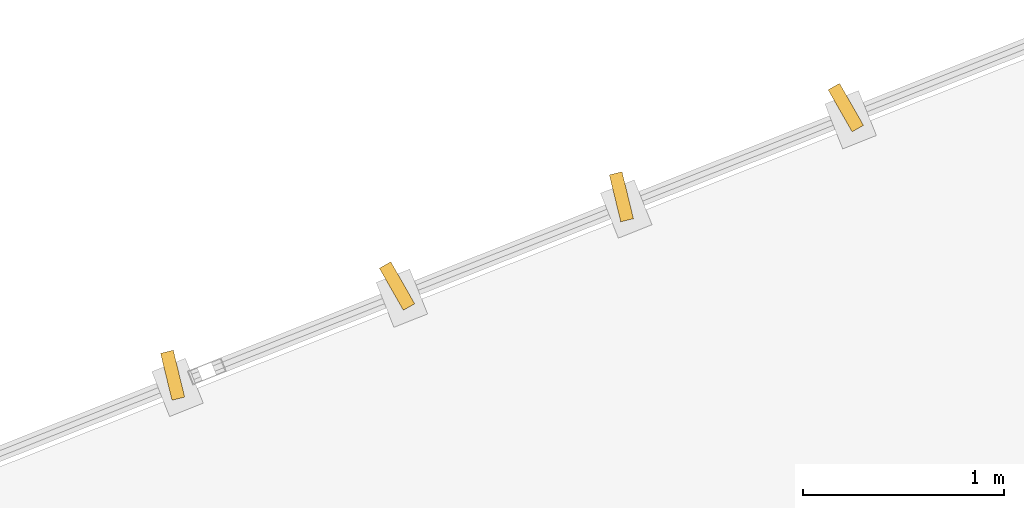
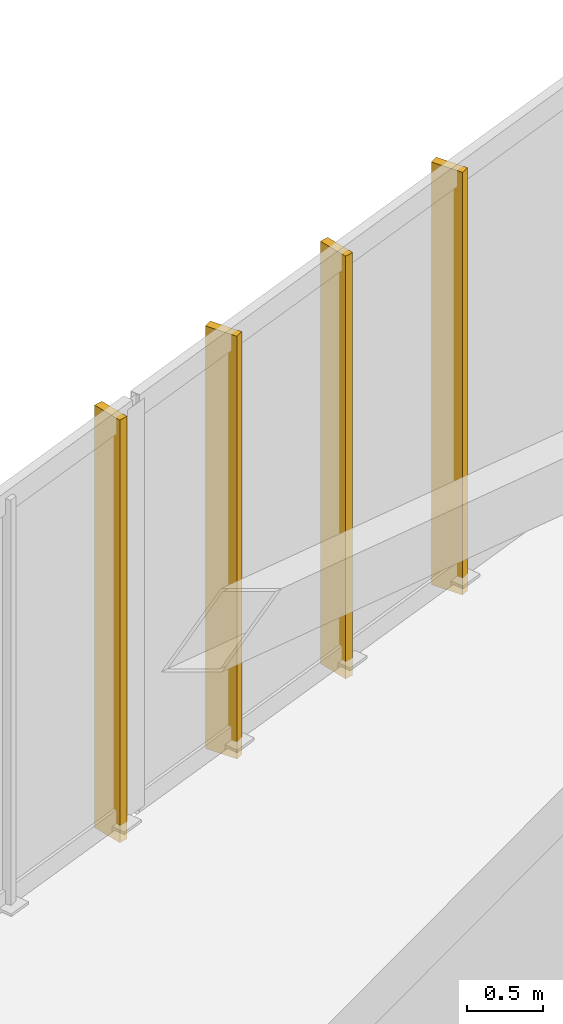
# One storey, part 22 of 22: 4 shading devices.
"""IFC4 building model written with IfcOpenShell, lengths in metres."""

import ifcopenshell
import ifcopenshell.guid

model = None  # the IFC model being written
_history = None  # IfcOwnerHistory: only IFC2X3 demands one
_inside = {}  # id of a spatial element -> (the spatial element, [elements in it])
_under = {}  # id of a project, library or spatial element -> (it, [spatial elements below it])
_declared = {}  # id of a project -> (the project, [libraries it declares])
_typed = {}  # id of a type object -> (the type object, [elements of that type])
_made_of = {}  # id of a material, layer set ... -> (it, [elements and type objects made of it])


def new_model(schema):
    """Start an empty IFC model of exactly this schema.

    Asked for "IFC4X3", IfcOpenShell would pick the latest addendum, in which some entities
    have other attributes; the version numbers below select the first issue.
    IFC2X3 requires an IfcOwnerHistory on every rooted entity: one is made here for all.
    """
    global model, _history
    if schema == "IFC4X3":
        model = ifcopenshell.file(schema_version=(4, 3, 0, 0))
    else:
        model = ifcopenshell.file(schema=schema)
    _inside.clear()
    _under.clear()
    _declared.clear()
    _typed.clear()
    _made_of.clear()
    _history = None
    if model.schema == "IFC2X3":
        org = make("IfcOrganization", Name="unknown")
        user = make(
            "IfcPersonAndOrganization",
            ThePerson=make("IfcPerson", FamilyName="unknown"),
            TheOrganization=org,
        )
        app = make(
            "IfcApplication",
            ApplicationDeveloper=org,
            Version="unknown",
            ApplicationFullName="unknown",
            ApplicationIdentifier="unknown",
        )
        _history = make(
            "IfcOwnerHistory",
            OwningUser=user,
            OwningApplication=app,
            ChangeAction="ADDED",
            CreationDate=0,
        )
    return model


def make(cls, **values):
    """One entity of the class cls with the attributes given. An attribute that is None is left unset."""
    return model.create_entity(
        cls, **{name: value for name, value in values.items() if value is not None}
    )


def rooted(cls, **values):
    """An entity with a GlobalId (a new one), such as an element, a storey or a relation."""
    return make(cls, GlobalId=ifcopenshell.guid.new(), OwnerHistory=_history, **values)


def si_unit(unit_type, name, prefix=None):
    """IfcSIUnit, for example si_unit("LENGTHUNIT", "METRE", prefix="MILLI")."""
    return make("IfcSIUnit", UnitType=unit_type, Prefix=prefix, Name=name)


def assignment(units):
    """IfcUnitAssignment: the units of a project."""
    return None if units is None else make("IfcUnitAssignment", Units=units)


def point(xyz):
    """IfcCartesianPoint."""
    return None if xyz is None else make("IfcCartesianPoint", Coordinates=xyz)


def direction(xyz):
    """IfcDirection."""
    return None if xyz is None else make("IfcDirection", DirectionRatios=xyz)


def frame(location, z_axis=None, x_axis=None):
    """IfcAxis2Placement3D, a coordinate frame: its origin and axes. An axis left out is left unset."""
    return make(
        "IfcAxis2Placement3D",
        Location=point(location),
        Axis=direction(z_axis),
        RefDirection=direction(x_axis),
    )


def frame_2d(location, x_axis=None):
    """IfcAxis2Placement2D, a coordinate frame in the plane: its origin and x axis."""
    return make(
        "IfcAxis2Placement2D", Location=point(location), RefDirection=direction(x_axis)
    )


def origin():
    """The frame at (0, 0, 0) with its axes left unset."""
    return frame((0.0, 0.0, 0.0))


def origin_2d():
    """The frame at (0, 0) in the plane with its x axis left unset."""
    return frame_2d((0.0, 0.0))


def place(relative_to, where):
    """IfcLocalPlacement: puts the frame where relative to a parent placement (None: the world)."""
    return make(
        "IfcLocalPlacement", PlacementRelTo=relative_to, RelativePlacement=where
    )


def context(
    kind, dimensions, precision=None, world=None, true_north=None, identifier=None
):
    """IfcGeometricRepresentationContext, for example the 3D "Model" context."""
    return make(
        "IfcGeometricRepresentationContext",
        ContextIdentifier=identifier,
        ContextType=kind,
        CoordinateSpaceDimension=dimensions,
        Precision=precision,
        WorldCoordinateSystem=world,
        TrueNorth=true_north,
    )


def subcontext(parent, identifier, kind, view, scale=None):
    """IfcGeometricRepresentationSubContext, for example "Body" below "Model"."""
    return make(
        "IfcGeometricRepresentationSubContext",
        ContextIdentifier=identifier,
        ContextType=kind,
        ParentContext=parent,
        TargetScale=scale,
        TargetView=view,
    )


def project(units=None, contexts=None):
    """IfcProject with its units and contexts."""
    return rooted(
        "IfcProject",
        Name="project",
        RepresentationContexts=contexts,
        UnitsInContext=assignment(units),
    )


def spatial(cls, under=None, at=None, **own):
    """A site, building, storey or space (cls), placed at a placement, below another one or the project."""
    s = rooted(cls, ObjectPlacement=at, **own)
    if under is not None:
        _under.setdefault(under.id(), (under, []))[1].append(s)
    return s


def profile(cls, at=None, kind="AREA", **sizes):
    """A parametric profile (cls). Its sizes go by their IFC names, for example OverallWidth=200.0."""
    return make(cls, ProfileType=kind, Position=at, **sizes)


def rectangle(**sizes):
    """IfcRectangleProfileDef."""
    return profile("IfcRectangleProfileDef", **sizes)


def extrude(swept, where, along, depth):
    """IfcExtrudedAreaSolid: the profile swept, set in the frame where, extruded along a direction by depth."""
    return make(
        "IfcExtrudedAreaSolid",
        SweptArea=swept,
        Position=where,
        ExtrudedDirection=direction(along),
        Depth=depth,
    )


def shape(context_of_items, identifier, shape_type, items):
    """IfcShapeRepresentation: the items that make up one representation, for example the "Body"."""
    return make(
        "IfcShapeRepresentation",
        ContextOfItems=context_of_items,
        RepresentationIdentifier=identifier,
        RepresentationType=shape_type,
        Items=items,
    )


def source(mapping_origin, context_of_items, identifier, shape_type, items):
    """IfcRepresentationMap: a shape defined once, which mapped items show again and again."""
    return make(
        "IfcRepresentationMap",
        MappingOrigin=mapping_origin,
        MappedRepresentation=shape(context_of_items, identifier, shape_type, items),
    )


def transform(
    local_origin,
    x_axis=None,
    y_axis=None,
    z_axis=None,
    scale=None,
    scale2=None,
    scale3=None,
    uniform=True,
):
    """IfcCartesianTransformationOperator3D, or its non-uniform kind. x_axis, y_axis, z_axis: its Axis1, 2, 3."""
    if uniform:
        return make(
            "IfcCartesianTransformationOperator3D",
            Axis1=direction(x_axis),
            Axis2=direction(y_axis),
            LocalOrigin=point(local_origin),
            Scale=scale,
            Axis3=direction(z_axis),
        )
    return make(
        "IfcCartesianTransformationOperator3DnonUniform",
        Axis1=direction(x_axis),
        Axis2=direction(y_axis),
        LocalOrigin=point(local_origin),
        Scale=scale,
        Axis3=direction(z_axis),
        Scale2=scale2,
        Scale3=scale3,
    )


def mapped(mapping_source, mapping_target):
    """IfcMappedItem: shows the shape of a source again, moved by a transform."""
    return make(
        "IfcMappedItem", MappingSource=mapping_source, MappingTarget=mapping_target
    )


def material(Name=None, Category=None):
    """IfcMaterial."""
    return make("IfcMaterial", Name=Name, Category=Category)


def layer(
    of_material, thickness, ventilated=None, Name=None, Category=None, Priority=None
):
    """IfcMaterialLayer: one layer of a wall or slab, of a material (None: an air gap)."""
    return make(
        "IfcMaterialLayer",
        Material=of_material,
        LayerThickness=thickness,
        IsVentilated=ventilated,
        Name=Name,
        Category=Category,
        Priority=Priority,
    )


def layer_set(layers, Name=None):
    """IfcMaterialLayerSet."""
    return make("IfcMaterialLayerSet", MaterialLayers=layers, LayerSetName=Name)


def made_of(thing, what):
    """Note that an element or type object is made of a material, layer set ...; save() writes the relation."""
    if what is not None:
        _made_of.setdefault(what.id(), (what, []))[1].append(thing)
    return thing


def type_object(cls, material=None, **own):
    """A type object (cls), such as IfcWallType, which elements share."""
    return made_of(rooted(cls, **own), material)


def type_shapes(of_type, sources):
    """Give a type object the sources (RepresentationMaps) that its elements show as mapped items."""
    of_type.RepresentationMaps = sources


def element(
    cls,
    number,
    at=None,
    inside=None,
    cuts=None,
    type_object=None,
    material=None,
    context=None,
    identifier="Body",
    shape_type=None,
    held_by="IfcProductDefinitionShape",
    body=None,
    shapes=None,
    **own,
):
    """One element of the class cls, such as IfcWall. Its Tag is "e" and its number.

    at: its placement. inside: the storey or other place that contains it. cuts: it is an
    opening in that element (IfcRelVoidsElement). A single representation is given by context,
    identifier, shape_type and body (its items); several are given by shapes. held_by: the class
    of the entity that holds the representations. save() writes the other relations.
    """
    e = rooted(cls, Tag="e%d" % number, ObjectPlacement=at, **own)
    if body is not None:
        shapes = [shape(context, identifier, shape_type, body)]
    if shapes is not None:
        e.Representation = make(held_by, Representations=shapes)
    if inside is not None:
        _inside.setdefault(inside.id(), (inside, []))[1].append(e)
    if cuts is not None:
        rooted(
            "IfcRelVoidsElement", RelatingBuildingElement=cuts, RelatedOpeningElement=e
        )
    if type_object is not None:
        _typed.setdefault(type_object.id(), (type_object, []))[1].append(e)
    return made_of(e, material)


def aggregate(whole, parts):
    """IfcRelAggregates: a whole, such as a stair, and the parts it consists of."""
    return rooted("IfcRelAggregates", RelatingObject=whole, RelatedObjects=parts)


def save(model, path):
    """Write the relations noted so far, then the file.

    IfcRelAggregates (storeys below a building ...), IfcRelContainedInSpatialStructure (elements
    in a storey), IfcRelDefinesByType, IfcRelAssociatesMaterial and IfcRelDeclares: one each for
    every whole, place, type object, material and project.
    """
    for whole, parts in _under.values():
        aggregate(whole, parts)
    for where, things in _inside.values():
        rooted(
            "IfcRelContainedInSpatialStructure",
            RelatedElements=things,
            RelatingStructure=where,
        )
    for kind, things in _typed.values():
        rooted("IfcRelDefinesByType", RelatedObjects=things, RelatingType=kind)
    for what, things in _made_of.values():
        rooted("IfcRelAssociatesMaterial", RelatedObjects=things, RelatingMaterial=what)
    for by, libraries in _declared.values():
        rooted("IfcRelDeclares", RelatingContext=by, RelatedDefinitions=libraries)
    model.write(path)


model = new_model("IFC4")

# Units and contexts
model_context = context("Model", 3, precision=1e-05, world=origin(), true_north=direction((0.0, 1.0)))
body_context = subcontext(model_context, "Body", "Model", "MODEL_VIEW")
ifc_project = project(units=[si_unit("LENGTHUNIT", "METRE"), si_unit("AREAUNIT", "SQUARE_METRE"), si_unit("VOLUMEUNIT", "CUBIC_METRE"), si_unit("PLANEANGLEUNIT", "RADIAN"), si_unit("MASSUNIT", "GRAM", prefix="KILO")], contexts=[model_context])

# Site, building, storey
site_placement = place(None, origin())
site = spatial("IfcSite", under=ifc_project, at=site_placement, CompositionType="ELEMENT")
building_placement = place(site_placement, origin())
building = spatial("IfcBuilding", under=site, at=building_placement, Name="Talar Marvaseh", CompositionType="ELEMENT")
storey_placement = place(building_placement, frame((0.0, 0.0, 154.199951171875)))
storey = spatial("IfcBuildingStorey", under=building, at=storey_placement, Name="L40", CompositionType="ELEMENT", Elevation=154.199951171875)

# Shading devices
ifc_material = material(Name="Anodised Champagne Bronze Aluminium", Category="aluminium")
ifc_layer = layer(ifc_material, 0.06494140625)
ifc_layer_set = layer_set([ifc_layer], Name="Anodised Champagne Bronze Aluminium")
shading_device_type = type_object("IfcShadingDeviceType", Name="Sawtooth Champagne Bronze Vertical Fin 240", PredefinedType="USERDEFINED", material=ifc_layer_set)
shared_shape = source(origin(), body_context, "Body", "SweptSolid", [
    extrude(rectangle(XDim=0.239990234375, YDim=0.06494140625, at=origin_2d()), origin(), (0.0, 0.0, 1.0), 3.39990234375),
])
type_shapes(shading_device_type, [shared_shape])
for number, where, z_axis, x_axis, name in (
    (1, (23.818115234375, 44.988525390625, -0.119873046875), (0.0, 0.0, 1.0), (-0.236498997024, 0.971631732915, 0.0), "L40 Sawtooth Vertical Solar Fin"),
    (2, (24.933349609375, 45.431884765625, -0.119873046875), (0.0, 0.0, 1.0), (-0.495155428655, 0.868804409216, 0.0), "L40 Sawtooth Vertical Solar Fin"),
    (3, (26.04833984375, 45.875244140625, -0.119873046875), (0.0, 0.0, 1.0), (-0.236498997024, 0.971631732915, 0.0), "L40 Sawtooth Vertical Solar Fin"),
    (4, (27.16357421875, 46.318603515625, -0.119873046875), (0.0, 0.0, 1.0), (-0.495155428655, 0.868804409216, 0.0), "L40 Sawtooth Vertical Solar Fin"),
):
    element("IfcShadingDevice", number, at=place(storey_placement, frame(where, z_axis=z_axis, x_axis=x_axis)), inside=storey, type_object=shading_device_type, Name=name, ObjectType="FIN", PredefinedType="USERDEFINED", context=body_context, shape_type="MappedRepresentation", body=[
        mapped(shared_shape, transform((0.0, 0.0, 0.0), x_axis=(1.0, 0.0, 0.0), y_axis=(0.0, 1.0, 0.0), z_axis=(0.0, 0.0, 1.0), scale=1.0)),
    ])

save(model, "model.ifc")
